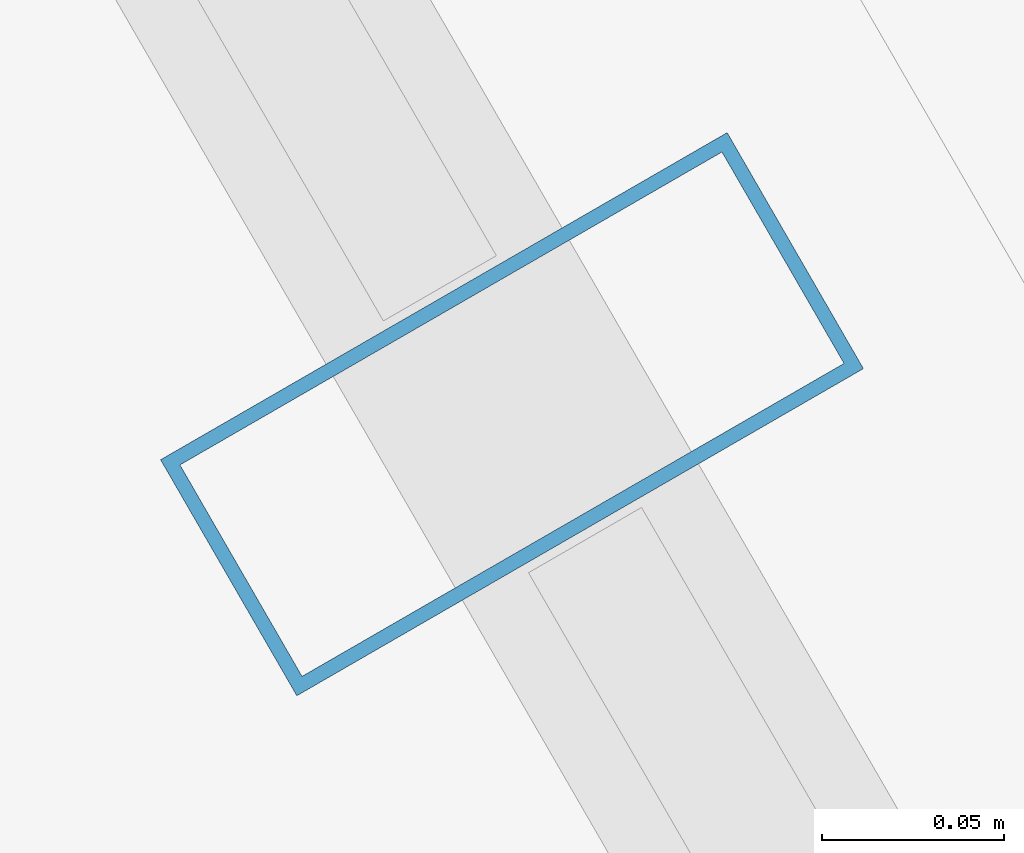
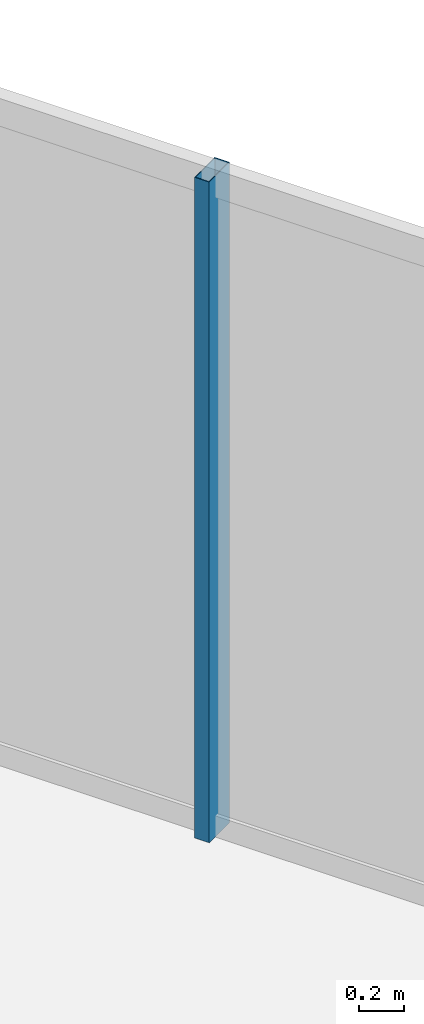
# One storey, part 19 of 31: 1 member, 1 element without a shape of its own.
"""IFC4 building model written with IfcOpenShell, lengths in metres."""

from ifc_helpers import new_model, si_unit, direction, frame, origin, origin_2d, place, context, subcontext, project, spatial, hollow_rectangle, extrude, material, layer, layer_set, material_profile, profile_set, type_object, element, aggregate, save


model = new_model("IFC4")

# Units and contexts
model_context = context("Model", 3, precision=1e-05, world=origin(), true_north=direction((0.0, 1.0)))
body_context = subcontext(model_context, "Body", "Model", "MODEL_VIEW")
ifc_project = project(units=[si_unit("LENGTHUNIT", "METRE"), si_unit("AREAUNIT", "SQUARE_METRE"), si_unit("VOLUMEUNIT", "CUBIC_METRE"), si_unit("PLANEANGLEUNIT", "RADIAN"), si_unit("MASSUNIT", "GRAM", prefix="KILO")], contexts=[model_context])

# Site, building, storey
site_placement = place(None, origin())
site = spatial("IfcSite", under=ifc_project, at=site_placement, CompositionType="ELEMENT")
building_placement = place(site_placement, origin())
building = spatial("IfcBuilding", under=site, at=building_placement, Name="Ndaravel Arena Tower", CompositionType="ELEMENT")
storey_placement = place(building_placement, frame((0.0, 0.0, 138.39990234375)))
storey = spatial("IfcBuildingStorey", under=building, at=storey_placement, Name="L32", CompositionType="ELEMENT", Elevation=138.39990234375)

# Curtain wall, member
ifc_material_1 = material(Name="Aluminium", Category="aluminium")
ifc_layer = layer(ifc_material_1, 0.179931640625)
ifc_layer_set = layer_set([ifc_layer], Name="Aluminium")
curtain_wall_type = type_object("IfcCurtainWallType", Name="CW-SYS-03", PredefinedType="NOTDEFINED", material=ifc_layer_set)
curtain_wall_placement = place(storey_placement, origin())
curtain_wall = element("IfcCurtainWall", 1, at=curtain_wall_placement, inside=storey, type_object=curtain_wall_type, Name="L32 Faceted Crystal Curtain Wall CW-L32-E03", PredefinedType="NOTDEFINED")
ifc_material_2 = material(Name="Aluminium", Category="aluminium")
ifc_material_profile = material_profile(ifc_material_2, hollow_rectangle(XDim=0.074951171875, YDim=0.179931640625, WallThickness=0.00390625, at=origin_2d()), Name="CW MULLION 75x180x4")
ifc_profile_set = profile_set([ifc_material_profile], Name="Aluminium")
member_type = type_object("IfcMemberType", Name="MEM-CW-MUL180", PredefinedType="MULLION", material=ifc_profile_set)
member_placement = place(storey_placement, frame((54.539306640625, 34.5693359375, 0.0), z_axis=(0.0, 0.0, 1.0), x_axis=(-0.5, 0.866025403784, 0.0)))
member = element("IfcMember", 2, at=member_placement, type_object=member_type, Name="CW-L32-E03 Mullion 05", PredefinedType="MULLION", context=body_context, shape_type="SweptSolid", body=[
    extrude(hollow_rectangle(XDim=0.074951171875, YDim=0.179931640625, WallThickness=0.00390625, at=origin_2d()), origin(), (0.0, 0.0, 1.0), 3.580078125),
])
aggregate(curtain_wall, [member])

save(model, "model.ifc")
